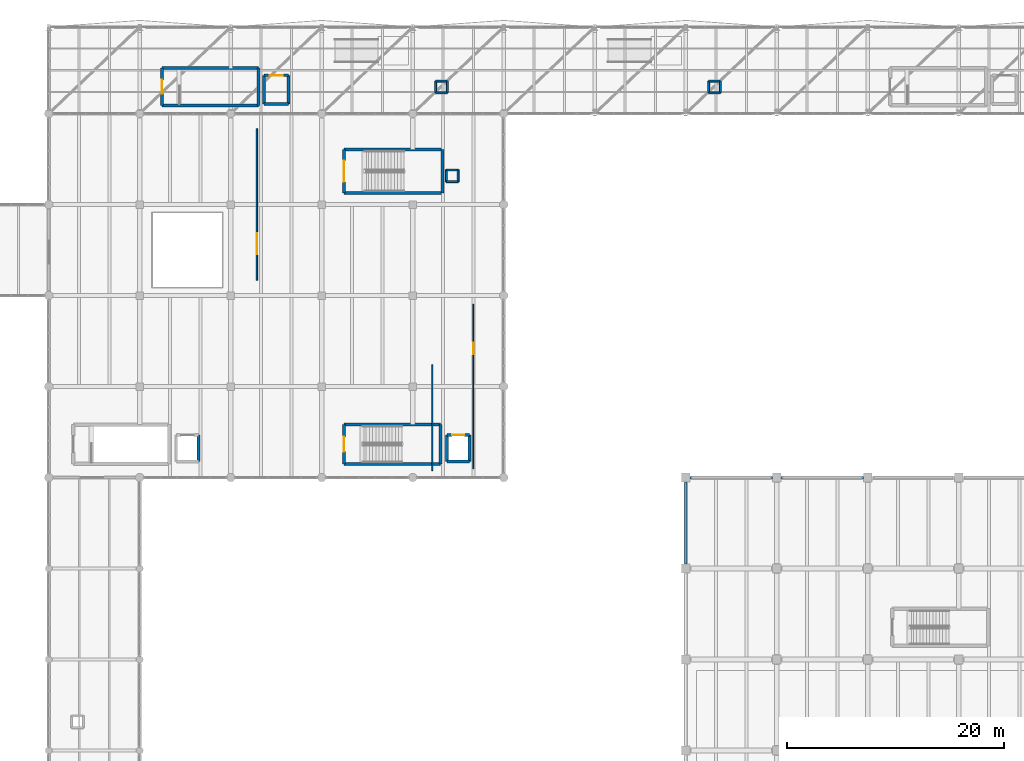
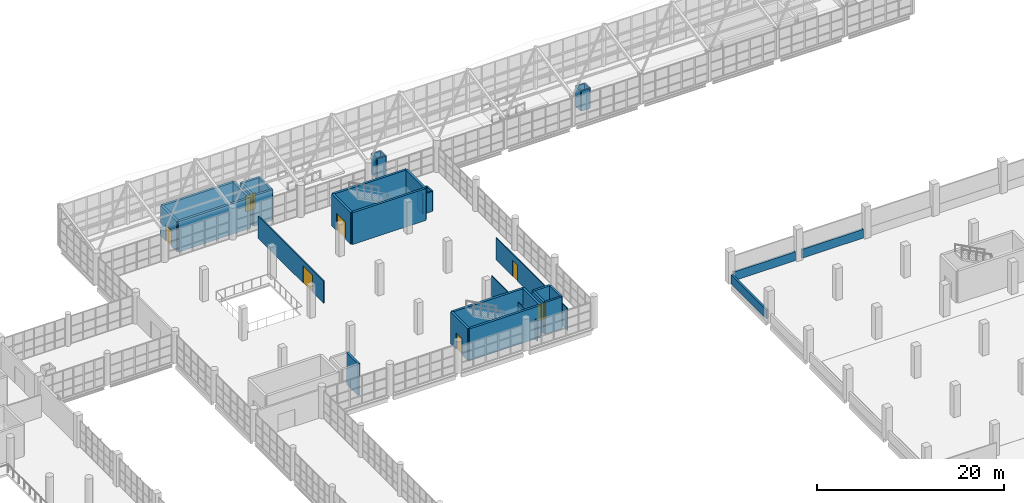
# One storey, part 153 of 177: 39 walls, 7 doors, 7 openings.
"""IFC4 building model written with IfcOpenShell, lengths in metres."""

from ifc_helpers import new_model, si_unit, direction, frame, frame_2d, origin, place, context, subcontext, project, spatial, rectangle, extrude, material, layer, layer_set, type_object, element, fill, save


model = new_model("IFC4")

# Units and contexts
model_context = context("Model", 3, precision=1e-05, world=origin(), true_north=direction((0.0, 1.0)))
body_context = subcontext(model_context, "Body", "Model", "MODEL_VIEW")
ifc_project = project(units=[si_unit("LENGTHUNIT", "METRE"), si_unit("AREAUNIT", "SQUARE_METRE"), si_unit("VOLUMEUNIT", "CUBIC_METRE"), si_unit("PLANEANGLEUNIT", "RADIAN"), si_unit("MASSUNIT", "GRAM", prefix="KILO"), si_unit("THERMODYNAMICTEMPERATUREUNIT", "KELVIN"), si_unit("POWERUNIT", "WATT")], contexts=[model_context])

# Site, building, storey
site_placement = place(None, origin())
site = spatial("IfcSite", under=ifc_project, at=site_placement, CompositionType="ELEMENT")
building_placement = place(site_placement, origin())
building = spatial("IfcBuilding", under=site, at=building_placement, Name="Mavoryth Pier Ferry Terminal", CompositionType="ELEMENT")
storey_placement = place(building_placement, frame((0.0, 0.0, 5.43994140625)))
storey = spatial("IfcBuildingStorey", under=building, at=storey_placement, Name="L01", CompositionType="ELEMENT", Elevation=5.43994140625)

# Walls
ifc_material_1 = material(Name="Concrete C35/45", Category="concrete")
ifc_layer_1 = layer(ifc_material_1, 0.260009765625, Name="Concrete C35/45", Category="concrete")
ifc_layer_set_1 = layer_set([ifc_layer_1], Name="Concrete C35/45 - CoreWall-LiftShaft-RC260")
wall_type_1 = type_object("IfcWallType", Name="CoreWall-LiftShaft-RC260", PredefinedType="SHEAR", material=ifc_layer_set_1)
wall_1_placement = place(storey_placement, frame((64.22998046875, 73.8701171875, 0.0), z_axis=(0.0, 0.0, 1.0), x_axis=(0.0, 1.0, 0.0)))
element("IfcWall", 1, at=wall_1_placement, inside=storey, type_object=wall_type_1, Name="Interior Wall IW-L01-0074", PredefinedType="SHEAR", context=body_context, shape_type="SweptSolid", body=[
    extrude(rectangle(XDim=2.4599609375, YDim=0.260009765625, at=frame_2d((1.22998046875, 0.0))), origin(), (0.0, 0.0, 1.0), 4.16015625),
])
wall_2_placement = place(storey_placement, frame((87.169921875, 73.8701171875, 0.0), z_axis=(0.0, 0.0, 1.0), x_axis=(1.0, 0.0, 0.0)))
element("IfcWall", 2, at=wall_2_placement, inside=storey, type_object=wall_type_1, Name="Interior Wall IW-L01-0093", PredefinedType="SHEAR", context=body_context, shape_type="SweptSolid", body=[
    extrude(rectangle(XDim=2.06005859375, YDim=0.260009765625, at=frame_2d((1.030029296875, 0.0))), origin(), (0.0, 0.0, 1.0), 4.16015625),
])
for number, where, z_axis, x_axis, name in (
    (3, (89.22998046875, 73.8701171875, 0.0), (0.0, 0.0, 1.0), (0.0, 1.0, 0.0), "Interior Wall IW-L01-0094"),
    (4, (87.169921875, 76.330078125, 0.0), (0.0, 0.0, 1.0), (0.0, -1.0, 0.0), "Interior Wall IW-L01-0095"),
):
    element("IfcWall", number, at=place(storey_placement, frame(where, z_axis=z_axis, x_axis=x_axis)), inside=storey, type_object=wall_type_1, Name=name, PredefinedType="SHEAR", context=body_context, shape_type="SweptSolid", body=[
        extrude(rectangle(XDim=2.4599609375, YDim=0.260009765625, at=frame_2d((1.22998046875, 0.0))), origin(), (0.0, 0.0, 1.0), 4.16015625),
    ])

# Wall, opening, door
wall_3_placement = place(storey_placement, frame((87.169921875, 76.330078125, 0.0), z_axis=(0.0, 0.0, 1.0), x_axis=(1.0, 0.0, 0.0)))
wall_3 = element("IfcWall", 5, at=wall_3_placement, inside=storey, type_object=wall_type_1, Name="Interior Wall IW-L01-0096", PredefinedType="SHEAR", context=body_context, shape_type="SweptSolid", body=[
    extrude(rectangle(XDim=2.06005859375, YDim=0.260009765625, at=frame_2d((1.030029296875, 0.0))), origin(), (0.0, 0.0, 1.0), 4.16015625),
])
opening_1_placement = place(wall_3_placement, frame((0.4599609375, 0.0, 0.0)))
opening_1 = element("IfcOpeningElement", 6, at=opening_1_placement, cuts=wall_3, Name="Opening LD02", PredefinedType="OPENING", context=body_context, shape_type="SweptSolid", body=[
    extrude(rectangle(XDim=1.139892578125, YDim=2.139892578125, at=frame_2d((0.56982421875, 1.06982421875))), frame((0.0, 0.139892578125, 0.0), z_axis=(0.0, -1.0, 0.0), x_axis=(1.0, 0.0, 0.0)), (0.0, 0.0, 1.0), 0.280029296875),
])
ifc_material_2 = material(Name="Brushed Stainless Steel Lift Landing Door", Category="steel")
door_type_1 = type_object("IfcDoorType", Name="Door-LiftLanding-1140x2140", OperationType="NOTDEFINED", PredefinedType="DOOR", material=ifc_material_2)
door_1_placement = place(opening_1_placement, origin())
door_1 = element("IfcDoor", 7, at=door_1_placement, inside=storey, type_object=door_type_1, Name="Lift LF05 Landing Door L01", OperationType="DOUBLE_DOOR_SLIDING", OverallHeight=2.139892578125, OverallWidth=1.139892578125, PredefinedType="DOOR", context=body_context, shape_type="SweptSolid", body=[
    extrude(rectangle(XDim=1.139892578125, YDim=2.139892578125, at=frame_2d((0.56982421875, 1.06982421875))), frame((0.0, 0.02490234375, 0.0), z_axis=(0.0, -1.0, 0.0), x_axis=(1.0, 0.0, 0.0)), (0.0, 0.0, 1.0), 0.050048828125),
])
fill(opening_1, door_1)

# Walls
wall_4_placement = place(storey_placement, frame((70.27001953125, 106.8701171875, 0.0), z_axis=(0.0, 0.0, 1.0), x_axis=(1.0, 0.0, 0.0)))
element("IfcWall", 8, at=wall_4_placement, inside=storey, type_object=wall_type_1, Name="Interior Wall IW-L01-0113", PredefinedType="SHEAR", context=body_context, shape_type="SweptSolid", body=[
    extrude(rectangle(XDim=2.260009765625, YDim=0.260009765625, at=frame_2d((1.1298828125, 0.0))), origin(), (0.0, 0.0, 1.0), 3.97998046875),
])
for number, where, z_axis, x_axis, name in (
    (9, (72.530029296875, 106.8701171875, 0.0), (0.0, 0.0, 1.0), (0.0, 1.0, 0.0), "Interior Wall IW-L01-0114"),
    (10, (70.27001953125, 109.530029296875, 0.0), (0.0, 0.0, 1.0), (0.0, -1.0, 0.0), "Interior Wall IW-L01-0115"),
):
    element("IfcWall", number, at=place(storey_placement, frame(where, z_axis=z_axis, x_axis=x_axis)), inside=storey, type_object=wall_type_1, Name=name, PredefinedType="SHEAR", context=body_context, shape_type="SweptSolid", body=[
        extrude(rectangle(XDim=2.659912109375, YDim=0.260009765625, at=frame_2d((1.330078125, 0.0))), origin(), (0.0, 0.0, 1.0), 3.97998046875),
    ])

# Wall, opening, door
wall_5_placement = place(storey_placement, frame((70.27001953125, 109.530029296875, 0.0), z_axis=(0.0, 0.0, 1.0), x_axis=(1.0, 0.0, 0.0)))
wall_5 = element("IfcWall", 11, at=wall_5_placement, inside=storey, type_object=wall_type_1, Name="Interior Wall IW-L01-0116", PredefinedType="SHEAR", context=body_context, shape_type="SweptSolid", body=[
    extrude(rectangle(XDim=2.260009765625, YDim=0.260009765625, at=frame_2d((1.1298828125, 0.0))), origin(), (0.0, 0.0, 1.0), 3.97998046875),
])
opening_2_placement = place(wall_5_placement, frame((0.510009765625, 0.0, 0.0)))
opening_2 = element("IfcOpeningElement", 12, at=opening_2_placement, cuts=wall_5, Name="Opening LD01", PredefinedType="OPENING", context=body_context, shape_type="SweptSolid", body=[
    extrude(rectangle(XDim=1.239990234375, YDim=2.139892578125, at=frame_2d((0.6201171875, 1.06982421875))), frame((0.0, 0.139892578125, 0.0), z_axis=(0.0, -1.0, 0.0), x_axis=(1.0, 0.0, 0.0)), (0.0, 0.0, 1.0), 0.280029296875),
])
door_type_2 = type_object("IfcDoorType", Name="Door-LiftLanding-1240x2140", OperationType="NOTDEFINED", PredefinedType="DOOR", material=ifc_material_2)
door_2_placement = place(opening_2_placement, origin())
door_2 = element("IfcDoor", 13, at=door_2_placement, inside=storey, type_object=door_type_2, Name="Lift LF06 Landing Door L01", OperationType="DOUBLE_DOOR_SLIDING", OverallHeight=2.139892578125, OverallWidth=1.239990234375, PredefinedType="DOOR", context=body_context, shape_type="SweptSolid", body=[
    extrude(rectangle(XDim=1.239990234375, YDim=2.139892578125, at=frame_2d((0.6201171875, 1.06982421875))), frame((0.0, 0.02490234375, 0.0), z_axis=(0.0, -1.0, 0.0), x_axis=(1.0, 0.0, 0.0)), (0.0, 0.0, 1.0), 0.050048828125),
])
fill(opening_2, door_2)

# Walls
ifc_material_3 = material(Name="Concrete C40/50", Category="concrete")
ifc_layer_2 = layer(ifc_material_3, 0.280029296875, Name="Concrete C40/50", Category="concrete")
ifc_layer_set_2 = layer_set([ifc_layer_2], Name="Concrete C40/50 - CoreWall-Shear-RC280")
wall_type_2 = type_object("IfcWallType", Name="CoreWall-Shear-RC280", PredefinedType="SHEAR", material=ifc_layer_set_2)
for number, where, z_axis, x_axis, name in (
    (14, (77.659912109375, 73.659912109375, 0.0), (0.0, 0.0, 1.0), (1.0, 0.0, 0.0), "Interior Wall IW-L01-0081"),
    (15, (77.659912109375, 77.2900390625, 0.0), (0.0, 0.0, 1.0), (1.0, 0.0, 0.0), "Interior Wall IW-L01-0082"),
):
    element("IfcWall", number, at=place(storey_placement, frame(where, z_axis=z_axis, x_axis=x_axis)), inside=storey, type_object=wall_type_2, Name=name, PredefinedType="SHEAR", context=body_context, shape_type="SweptSolid", body=[
        extrude(rectangle(XDim=8.880126953125, YDim=0.280029296875, at=frame_2d((4.43994140625, 0.0))), origin(), (0.0, 0.0, 1.0), 4.16015625),
    ])

# Wall, opening, door
wall_6_placement = place(storey_placement, frame((77.659912109375, 77.2900390625, 0.0), z_axis=(0.0, 0.0, 1.0), x_axis=(0.0, -1.0, 0.0)))
wall_6 = element("IfcWall", 16, at=wall_6_placement, inside=storey, type_object=wall_type_2, Name="Interior Wall IW-L01-0083", PredefinedType="SHEAR", context=body_context, shape_type="SweptSolid", body=[
    extrude(rectangle(XDim=3.630126953125, YDim=0.280029296875, at=frame_2d((1.81494140625, 0.0))), origin(), (0.0, 0.0, 1.0), 4.16015625),
])
opening_3_placement = place(wall_6_placement, frame((1.135009765625, 0.0, 0.0)))
opening_3 = element("IfcOpeningElement", 17, at=opening_3_placement, cuts=wall_6, Name="Opening ID02-021", PredefinedType="OPENING", context=body_context, shape_type="SweptSolid", body=[
    extrude(rectangle(XDim=1.360107421875, YDim=2.14990234375, at=frame_2d((0.68017578125, 1.074951171875))), frame((0.0, 0.14990234375, 0.0), z_axis=(0.0, -1.0, 0.0), x_axis=(1.0, 0.0, 0.0)), (0.0, 0.0, 1.0), 0.300048828125),
])
ifc_material_4 = material(Name="Painted Galvanised Steel Fire Door", Category="steel")
door_type_3 = type_object("IfcDoorType", Name="Door-StairFire-1360x2150", OperationType="NOTDEFINED", PredefinedType="DOOR", material=ifc_material_4)
door_3_placement = place(opening_3_placement, origin())
door_3 = element("IfcDoor", 18, at=door_3_placement, inside=storey, type_object=door_type_3, Name="Core C2B Stair Exit Door L01", OperationType="SINGLE_SWING_RIGHT", OverallHeight=2.14990234375, OverallWidth=1.360107421875, PredefinedType="DOOR", context=body_context, shape_type="SweptSolid", body=[
    extrude(rectangle(XDim=1.360107421875, YDim=2.14990234375, at=frame_2d((0.68017578125, 1.074951171875))), frame((0.0, 0.02490234375, 0.0), z_axis=(0.0, -1.0, 0.0), x_axis=(1.0, 0.0, 0.0)), (0.0, 0.0, 1.0), 0.050048828125),
])
fill(opening_3, door_3)

# Walls
wall_7_placement = place(storey_placement, frame((86.5400390625, 73.659912109375, 0.0), z_axis=(0.0, 0.0, 1.0), x_axis=(0.0, 1.0, 0.0)))
element("IfcWall", 19, at=wall_7_placement, inside=storey, type_object=wall_type_2, Name="Interior Wall IW-L01-0084", PredefinedType="SHEAR", context=body_context, shape_type="SweptSolid", body=[
    extrude(rectangle(XDim=3.630126953125, YDim=0.280029296875, at=frame_2d((1.81494140625, 0.0))), origin(), (0.0, 0.0, 1.0), 4.16015625),
])
for number, where, z_axis, x_axis, name in (
    (20, (60.860107421875, 106.760009765625, 0.0), (0.0, 0.0, 1.0), (1.0, 0.0, 0.0), "Interior Wall IW-L01-0105"),
    (21, (60.860107421875, 110.18994140625, 0.0), (0.0, 0.0, 1.0), (1.0, 0.0, 0.0), "Interior Wall IW-L01-0106"),
):
    element("IfcWall", number, at=place(storey_placement, frame(where, z_axis=z_axis, x_axis=x_axis)), inside=storey, type_object=wall_type_2, Name=name, PredefinedType="SHEAR", context=body_context, shape_type="SweptSolid", body=[
        extrude(rectangle(XDim=8.8798828125, YDim=0.280029296875, at=frame_2d((4.43994140625, 0.0))), origin(), (0.0, 0.0, 1.0), 3.97998046875),
    ])

# Wall, opening, door
wall_8_placement = place(storey_placement, frame((60.860107421875, 110.18994140625, 0.0), z_axis=(0.0, 0.0, 1.0), x_axis=(0.0, -1.0, 0.0)))
wall_8 = element("IfcWall", 22, at=wall_8_placement, inside=storey, type_object=wall_type_2, Name="Interior Wall IW-L01-0107", PredefinedType="SHEAR", context=body_context, shape_type="SweptSolid", body=[
    extrude(rectangle(XDim=3.429931640625, YDim=0.280029296875, at=frame_2d((1.71484375, 0.0))), origin(), (0.0, 0.0, 1.0), 3.97998046875),
])
opening_4_placement = place(wall_8_placement, frame((1.074951171875, 0.0, 0.0)))
opening_4 = element("IfcOpeningElement", 23, at=opening_4_placement, cuts=wall_8, Name="Opening ID03-027", PredefinedType="OPENING", context=body_context, shape_type="SweptSolid", body=[
    extrude(rectangle(XDim=1.280029296875, YDim=2.10009765625, at=frame_2d((0.64013671875, 1.050048828125))), frame((0.0, 0.14990234375, 0.0), z_axis=(0.0, -1.0, 0.0), x_axis=(1.0, 0.0, 0.0)), (0.0, 0.0, 1.0), 0.300048828125),
])
door_type_4 = type_object("IfcDoorType", Name="Door-StairFire-1280x2100", OperationType="NOTDEFINED", PredefinedType="DOOR", material=ifc_material_4)
door_4_placement = place(opening_4_placement, origin())
door_4 = element("IfcDoor", 24, at=door_4_placement, inside=storey, type_object=door_type_4, Name="Core C3A Stair Exit Door L01", OperationType="SINGLE_SWING_LEFT", OverallHeight=2.10009765625, OverallWidth=1.280029296875, PredefinedType="DOOR", context=body_context, shape_type="SweptSolid", body=[
    extrude(rectangle(XDim=1.280029296875, YDim=2.10009765625, at=frame_2d((0.64013671875, 1.050048828125))), frame((0.0, 0.02490234375, 0.0), z_axis=(0.0, -1.0, 0.0), x_axis=(1.0, 0.0, 0.0)), (0.0, 0.0, 1.0), 0.050048828125),
])
fill(opening_4, door_4)

# Walls
wall_9_placement = place(storey_placement, frame((69.739990234375, 106.760009765625, 0.0), z_axis=(0.0, 0.0, 1.0), x_axis=(0.0, 1.0, 0.0)))
element("IfcWall", 25, at=wall_9_placement, inside=storey, type_object=wall_type_2, Name="Interior Wall IW-L01-0108", PredefinedType="SHEAR", context=body_context, shape_type="SweptSolid", body=[
    extrude(rectangle(XDim=3.429931640625, YDim=0.280029296875, at=frame_2d((1.71484375, 0.0))), origin(), (0.0, 0.0, 1.0), 3.97998046875),
])
for number, where, z_axis, x_axis, name in (
    (26, (77.659912109375, 98.659912109375, 0.0), (0.0, 0.0, 1.0), (1.0, 0.0, 0.0), "Interior Wall IW-L01-0309"),
    (27, (77.659912109375, 102.68994140625, 0.0), (0.0, 0.0, 1.0), (1.0, 0.0, 0.0), "Interior Wall IW-L01-0310"),
):
    element("IfcWall", number, at=place(storey_placement, frame(where, z_axis=z_axis, x_axis=x_axis)), inside=storey, type_object=wall_type_2, Name=name, PredefinedType="SHEAR", context=body_context, shape_type="SweptSolid", body=[
        extrude(rectangle(XDim=9.080078125, YDim=0.280029296875, at=frame_2d((4.5400390625, 0.0))), origin(), (0.0, 0.0, 1.0), 4.16015625),
    ])

# Wall, opening, door
wall_10_placement = place(storey_placement, frame((77.659912109375, 102.68994140625, 0.0), z_axis=(0.0, 0.0, 1.0), x_axis=(0.0, -1.0, 0.0)))
wall_10 = element("IfcWall", 28, at=wall_10_placement, inside=storey, type_object=wall_type_2, Name="Interior Wall IW-L01-0311", PredefinedType="SHEAR", context=body_context, shape_type="SweptSolid", body=[
    extrude(rectangle(XDim=4.030029296875, YDim=0.280029296875, at=frame_2d((2.01513671875, 0.0))), origin(), (0.0, 0.0, 1.0), 4.16015625),
])
opening_5_placement = place(wall_10_placement, frame((1.034912109375, 0.0, 0.0)))
opening_5 = element("IfcOpeningElement", 29, at=opening_5_placement, cuts=wall_10, Name="Opening ID07-078", PredefinedType="OPENING", context=body_context, shape_type="SweptSolid", body=[
    extrude(rectangle(XDim=1.9599609375, YDim=2.219970703125, at=frame_2d((0.97998046875, 1.10986328125))), frame((0.0, 0.14990234375, 0.0), z_axis=(0.0, -1.0, 0.0), x_axis=(1.0, 0.0, 0.0)), (0.0, 0.0, 1.0), 0.300048828125),
])
ifc_material_5 = material(Name="Fire-Resisting Anodised Aluminium Glazed Door", Category="aluminium")
door_type_5 = type_object("IfcDoorType", Name="Door-ConcourseSlide-1960x2220", OperationType="NOTDEFINED", PredefinedType="DOOR", material=ifc_material_5)
door_5_placement = place(opening_5_placement, origin())
door_5 = element("IfcDoor", 30, at=door_5_placement, inside=storey, type_object=door_type_5, Name="Feature Stair FS3 Concourse Door L01", OperationType="DOUBLE_DOOR_SLIDING", OverallHeight=2.219970703125, OverallWidth=1.9599609375, PredefinedType="DOOR", context=body_context, shape_type="SweptSolid", body=[
    extrude(rectangle(XDim=1.9599609375, YDim=2.219970703125, at=frame_2d((0.97998046875, 1.10986328125))), frame((0.0, 0.02490234375, 0.0), z_axis=(0.0, -1.0, 0.0), x_axis=(1.0, 0.0, 0.0)), (0.0, 0.0, 1.0), 0.050048828125),
])
fill(opening_5, door_5)

# Walls
wall_11_placement = place(storey_placement, frame((86.739990234375, 98.659912109375, 0.0), z_axis=(0.0, 0.0, 1.0), x_axis=(0.0, 1.0, 0.0)))
element("IfcWall", 31, at=wall_11_placement, inside=storey, type_object=wall_type_2, Name="Interior Wall IW-L01-0312", PredefinedType="SHEAR", context=body_context, shape_type="SweptSolid", body=[
    extrude(rectangle(XDim=4.030029296875, YDim=0.280029296875, at=frame_2d((2.01513671875, 0.0))), origin(), (0.0, 0.0, 1.0), 4.16015625),
])
ifc_layer_3 = layer(ifc_material_3, 0.22998046875, Name="Concrete C40/50", Category="concrete")
ifc_layer_set_3 = layer_set([ifc_layer_3], Name="Concrete C40/50 - ExtWall-CrashUpstand-230")
wall_type_3 = type_object("IfcWallType", Name="ExtWall-CrashUpstand-230", PredefinedType="PARAPET", material=ifc_layer_set_3)
wall_12_placement = place(storey_placement, frame((109.60009765625, 72.39990234375, 0.0), z_axis=(0.0, 0.0, 1.0), x_axis=(1.0, 0.0, 0.0)))
element("IfcWall", 32, at=wall_12_placement, inside=storey, type_object=wall_type_3, Name="Exterior Wall EW-L01-066", PredefinedType="PARAPET", context=body_context, shape_type="SweptSolid", body=[
    extrude(rectangle(XDim=7.599853515625, YDim=0.22998046875, at=frame_2d((3.7998046875, 0.0))), origin(), (0.0, 0.0, 1.0), 1.150146484375),
])
for number, where, z_axis, x_axis, name in (
    (33, (118.0, 72.39990234375, 0.0), (0.0, 0.0, 1.0), (1.0, 0.0, 0.0), "Exterior Wall EW-L01-068"),
    (34, (109.199951171875, 64.39990234375, 0.0), (0.0, 0.0, 1.0), (0.0, 1.0, 0.0), "Exterior Wall EW-L01-091"),
):
    element("IfcWall", number, at=place(storey_placement, frame(where, z_axis=z_axis, x_axis=x_axis)), inside=storey, type_object=wall_type_3, Name=name, PredefinedType="PARAPET", context=body_context, shape_type="SweptSolid", body=[
        extrude(rectangle(XDim=7.60009765625, YDim=0.22998046875, at=frame_2d((3.800048828125, 0.0))), origin(), (0.0, 0.0, 1.0), 1.150146484375),
    ])
ifc_material_6 = material(Name="Autoclaved Aerated Concrete Blockwork", Category="masonry")
ifc_layer_4 = layer(ifc_material_6, 0.179931640625, Name="Autoclaved Aerated Concrete Blockwork", Category="masonry")
ifc_layer_set_4 = layer_set([ifc_layer_4], Name="Autoclaved Aerated Concrete Blockwork - IntWall-PlantRated-180")
wall_type_4 = type_object("IfcWallType", Name="IntWall-PlantRated-180", PredefinedType="SOLIDWALL", material=ifc_layer_set_4)
wall_13_placement = place(storey_placement, frame((86.110107421875, 107.909912109375, 0.0), z_axis=(0.0, 0.0, 1.0), x_axis=(1.0, 0.0, 0.0)))
element("IfcWall", 35, at=wall_13_placement, inside=storey, type_object=wall_type_4, Name="Interior Wall IW-L01-0357", PredefinedType="SOLIDWALL", context=body_context, shape_type="SweptSolid", body=[
    extrude(rectangle(XDim=1.079833984375, YDim=0.179931640625, at=frame_2d((0.5400390625, 0.0))), origin(), (0.0, 0.0, 1.0), 2.60009765625),
])
wall_14_placement = place(storey_placement, frame((87.18994140625, 107.909912109375, 0.0), z_axis=(0.0, 0.0, 1.0), x_axis=(0.0, 1.0, 0.0)))
element("IfcWall", 36, at=wall_14_placement, inside=storey, type_object=wall_type_4, Name="Interior Wall IW-L01-0358", PredefinedType="SOLIDWALL", context=body_context, shape_type="SweptSolid", body=[
    extrude(rectangle(XDim=1.080078125, YDim=0.179931640625, at=frame_2d((0.5400390625, 0.0))), origin(), (0.0, 0.0, 1.0), 2.60009765625),
])
wall_15_placement = place(storey_placement, frame((87.18994140625, 108.989990234375, 0.0), z_axis=(0.0, 0.0, 1.0), x_axis=(-1.0, 0.0, 0.0)))
element("IfcWall", 37, at=wall_15_placement, inside=storey, type_object=wall_type_4, Name="Interior Wall IW-L01-0359", PredefinedType="SOLIDWALL", context=body_context, shape_type="SweptSolid", body=[
    extrude(rectangle(XDim=1.079833984375, YDim=0.179931640625, at=frame_2d((0.5400390625, 0.0))), origin(), (0.0, 0.0, 1.0), 2.60009765625),
])
wall_16_placement = place(storey_placement, frame((86.110107421875, 108.989990234375, 0.0), z_axis=(0.0, 0.0, 1.0), x_axis=(0.0, -1.0, 0.0)))
element("IfcWall", 38, at=wall_16_placement, inside=storey, type_object=wall_type_4, Name="Interior Wall IW-L01-0360", PredefinedType="SOLIDWALL", context=body_context, shape_type="SweptSolid", body=[
    extrude(rectangle(XDim=1.080078125, YDim=0.179931640625, at=frame_2d((0.5400390625, 0.0))), origin(), (0.0, 0.0, 1.0), 2.60009765625),
])
wall_17_placement = place(storey_placement, frame((111.31005859375, 107.909912109375, 0.0), z_axis=(0.0, 0.0, 1.0), x_axis=(1.0, 0.0, 0.0)))
element("IfcWall", 39, at=wall_17_placement, inside=storey, type_object=wall_type_4, Name="Interior Wall IW-L01-0365", PredefinedType="SOLIDWALL", context=body_context, shape_type="SweptSolid", body=[
    extrude(rectangle(XDim=1.079833984375, YDim=0.179931640625, at=frame_2d((0.5400390625, 0.0))), origin(), (0.0, 0.0, 1.0), 2.60009765625),
])
wall_18_placement = place(storey_placement, frame((112.389892578125, 107.909912109375, 0.0), z_axis=(0.0, 0.0, 1.0), x_axis=(0.0, 1.0, 0.0)))
element("IfcWall", 40, at=wall_18_placement, inside=storey, type_object=wall_type_4, Name="Interior Wall IW-L01-0366", PredefinedType="SOLIDWALL", context=body_context, shape_type="SweptSolid", body=[
    extrude(rectangle(XDim=1.080078125, YDim=0.179931640625, at=frame_2d((0.5400390625, 0.0))), origin(), (0.0, 0.0, 1.0), 2.60009765625),
])
wall_19_placement = place(storey_placement, frame((112.389892578125, 108.989990234375, 0.0), z_axis=(0.0, 0.0, 1.0), x_axis=(-1.0, 0.0, 0.0)))
element("IfcWall", 41, at=wall_19_placement, inside=storey, type_object=wall_type_4, Name="Interior Wall IW-L01-0367", PredefinedType="SOLIDWALL", context=body_context, shape_type="SweptSolid", body=[
    extrude(rectangle(XDim=1.079833984375, YDim=0.179931640625, at=frame_2d((0.5400390625, 0.0))), origin(), (0.0, 0.0, 1.0), 2.60009765625),
])
wall_20_placement = place(storey_placement, frame((111.31005859375, 108.989990234375, 0.0), z_axis=(0.0, 0.0, 1.0), x_axis=(0.0, -1.0, 0.0)))
element("IfcWall", 42, at=wall_20_placement, inside=storey, type_object=wall_type_4, Name="Interior Wall IW-L01-0368", PredefinedType="SOLIDWALL", context=body_context, shape_type="SweptSolid", body=[
    extrude(rectangle(XDim=1.080078125, YDim=0.179931640625, at=frame_2d((0.5400390625, 0.0))), origin(), (0.0, 0.0, 1.0), 2.60009765625),
])
wall_21_placement = place(storey_placement, frame((87.110107421875, 99.7099609375, 0.0), z_axis=(0.0, 0.0, 1.0), x_axis=(1.0, 0.0, 0.0)))
element("IfcWall", 43, at=wall_21_placement, inside=storey, type_object=wall_type_4, Name="Interior Wall IW-L01-0385", PredefinedType="SOLIDWALL", context=body_context, shape_type="SweptSolid", body=[
    extrude(rectangle(XDim=1.079833984375, YDim=0.179931640625, at=frame_2d((0.5400390625, 0.0))), origin(), (0.0, 0.0, 1.0), 2.60009765625),
])
wall_22_placement = place(storey_placement, frame((88.18994140625, 99.7099609375, 0.0), z_axis=(0.0, 0.0, 1.0), x_axis=(0.0, 1.0, 0.0)))
element("IfcWall", 44, at=wall_22_placement, inside=storey, type_object=wall_type_4, Name="Interior Wall IW-L01-0386", PredefinedType="SOLIDWALL", context=body_context, shape_type="SweptSolid", body=[
    extrude(rectangle(XDim=1.080078125, YDim=0.179931640625, at=frame_2d((0.5400390625, 0.0))), origin(), (0.0, 0.0, 1.0), 2.60009765625),
])
wall_23_placement = place(storey_placement, frame((88.18994140625, 100.7900390625, 0.0), z_axis=(0.0, 0.0, 1.0), x_axis=(-1.0, 0.0, 0.0)))
element("IfcWall", 45, at=wall_23_placement, inside=storey, type_object=wall_type_4, Name="Interior Wall IW-L01-0387", PredefinedType="SOLIDWALL", context=body_context, shape_type="SweptSolid", body=[
    extrude(rectangle(XDim=1.079833984375, YDim=0.179931640625, at=frame_2d((0.5400390625, 0.0))), origin(), (0.0, 0.0, 1.0), 2.60009765625),
])
wall_24_placement = place(storey_placement, frame((87.110107421875, 100.7900390625, 0.0), z_axis=(0.0, 0.0, 1.0), x_axis=(0.0, -1.0, 0.0)))
element("IfcWall", 46, at=wall_24_placement, inside=storey, type_object=wall_type_4, Name="Interior Wall IW-L01-0388", PredefinedType="SOLIDWALL", context=body_context, shape_type="SweptSolid", body=[
    extrude(rectangle(XDim=1.080078125, YDim=0.179931640625, at=frame_2d((0.5400390625, 0.0))), origin(), (0.0, 0.0, 1.0), 2.60009765625),
])

# Wall, opening, door
ifc_material_7 = material(Name="Fire-Rated Gypsum Stud Partition")
ifc_layer_5 = layer(ifc_material_7, 0.139892578125, Name="Fire-Rated Gypsum Stud Partition")
ifc_layer_set_5 = layer_set([ifc_layer_5], Name="Fire-Rated Gypsum Stud Partition - Part-Corridor-140")
wall_type_5 = type_object("IfcWallType", Name="Part-Corridor-140", PredefinedType="PARTITIONING", material=ifc_layer_set_5)
wall_25_placement = place(storey_placement, frame((69.60009765625, 90.60009765625, 0.0), z_axis=(0.0, 0.0, 1.0), x_axis=(0.0, 1.0, 0.0)))
wall_25 = element("IfcWall", 47, at=wall_25_placement, inside=storey, type_object=wall_type_5, Name="Interior Wall IW-L01-0426", PredefinedType="PARTITIONING", context=body_context, shape_type="SweptSolid", body=[
    extrude(rectangle(XDim=14.0, YDim=0.139892578125, at=frame_2d((7.0, 0.0))), origin(), (0.0, 0.0, 1.0), 2.900146484375),
])
opening_6_placement = place(wall_25_placement, frame((2.39990234375, 0.0, 0.0)))
opening_6 = element("IfcOpeningElement", 48, at=opening_6_placement, cuts=wall_25, Name="Opening ID07-094", PredefinedType="OPENING", context=body_context, shape_type="SweptSolid", body=[
    extrude(rectangle(XDim=1.9599609375, YDim=2.219970703125, at=frame_2d((0.97998046875, 1.10986328125))), frame((0.0, 0.079833984375, 0.0), z_axis=(0.0, -1.0, 0.0), x_axis=(1.0, 0.0, 0.0)), (0.0, 0.0, 1.0), 0.159912109375),
])
door_6_placement = place(opening_6_placement, origin())
door_6 = element("IfcDoor", 49, at=door_6_placement, inside=storey, type_object=door_type_5, Name="Interior Door ID07-094", OperationType="DOUBLE_DOOR_SLIDING", OverallHeight=2.219970703125, OverallWidth=1.9599609375, PredefinedType="DOOR", context=body_context, shape_type="SweptSolid", body=[
    extrude(rectangle(XDim=1.9599609375, YDim=2.219970703125, at=frame_2d((0.97998046875, 1.10986328125))), frame((0.0, 0.02490234375, 0.0), z_axis=(0.0, -1.0, 0.0), x_axis=(1.0, 0.0, 0.0)), (0.0, 0.0, 1.0), 0.050048828125),
])
fill(opening_6, door_6)

ifc_material_8 = material(Name="Moisture-Resistant Cement-Board Partition")
ifc_layer_6 = layer(ifc_material_8, 0.10009765625, Name="Moisture-Resistant Cement-Board Partition")
ifc_layer_set_6 = layer_set([ifc_layer_6], Name="Moisture-Resistant Cement-Board Partition - Part-WetArea-100")
wall_type_6 = type_object("IfcWallType", Name="Part-WetArea-100", PredefinedType="PARTITIONING", material=ifc_layer_set_6)
wall_26_placement = place(storey_placement, frame((89.60009765625, 73.199951171875, 0.0), z_axis=(0.0, 0.0, 1.0), x_axis=(0.0, 1.0, 0.0)))
wall_26 = element("IfcWall", 50, at=wall_26_placement, inside=storey, type_object=wall_type_6, Name="Interior Wall IW-L01-0427", PredefinedType="PARTITIONING", context=body_context, shape_type="SweptSolid", body=[
    extrude(rectangle(XDim=15.199951171875, YDim=0.10009765625, at=frame_2d((7.60009765625, 0.0))), origin(), (0.0, 0.0, 1.0), 2.900146484375),
])
opening_7_placement = place(wall_26_placement, frame((10.60009765625, 0.0, 0.0)))
opening_7 = element("IfcOpeningElement", 51, at=opening_7_placement, cuts=wall_26, Name="Opening ID11-095", PredefinedType="OPENING", context=body_context, shape_type="SweptSolid", body=[
    extrude(rectangle(XDim=1.06005859375, YDim=2.10009765625, at=frame_2d((0.530029296875, 1.050048828125))), frame((0.0, 0.06005859375, 0.0), z_axis=(0.0, -1.0, 0.0), x_axis=(1.0, 0.0, 0.0)), (0.0, 0.0, 1.0), 0.1201171875),
])
ifc_material_9 = material(Name="High-Pressure Laminate Accessible Door")
door_type_6 = type_object("IfcDoorType", Name="Door-AccessibleWC-1060x2100", OperationType="NOTDEFINED", PredefinedType="DOOR", material=ifc_material_9)
door_7_placement = place(opening_7_placement, origin())
door_7 = element("IfcDoor", 52, at=door_7_placement, inside=storey, type_object=door_type_6, Name="Immigration Accessible WC Door", OperationType="SINGLE_SWING_LEFT", OverallHeight=2.10009765625, OverallWidth=1.06005859375, PredefinedType="DOOR", context=body_context, shape_type="SweptSolid", body=[
    extrude(rectangle(XDim=1.06005859375, YDim=2.10009765625, at=frame_2d((0.530029296875, 1.050048828125))), frame((0.0, 0.02490234375, 0.0), z_axis=(0.0, -1.0, 0.0), x_axis=(1.0, 0.0, 0.0)), (0.0, 0.0, 1.0), 0.050048828125),
])
fill(opening_7, door_7)

# Wall
wall_27_placement = place(storey_placement, frame((85.800048828125, 73.050048828125, 0.0), z_axis=(0.0, 0.0, 1.0), x_axis=(0.0, 1.0, 0.0)))
element("IfcWall", 53, at=wall_27_placement, inside=storey, type_object=wall_type_6, Name="Interior Wall IW-L01-0516", PredefinedType="PARTITIONING", context=body_context, shape_type="SweptSolid", body=[
    extrude(rectangle(XDim=9.75, YDim=0.10009765625, at=frame_2d((4.875, 0.0))), origin(), (0.0, 0.0, 1.0), 2.650146484375),
])

save(model, "model.ifc")
